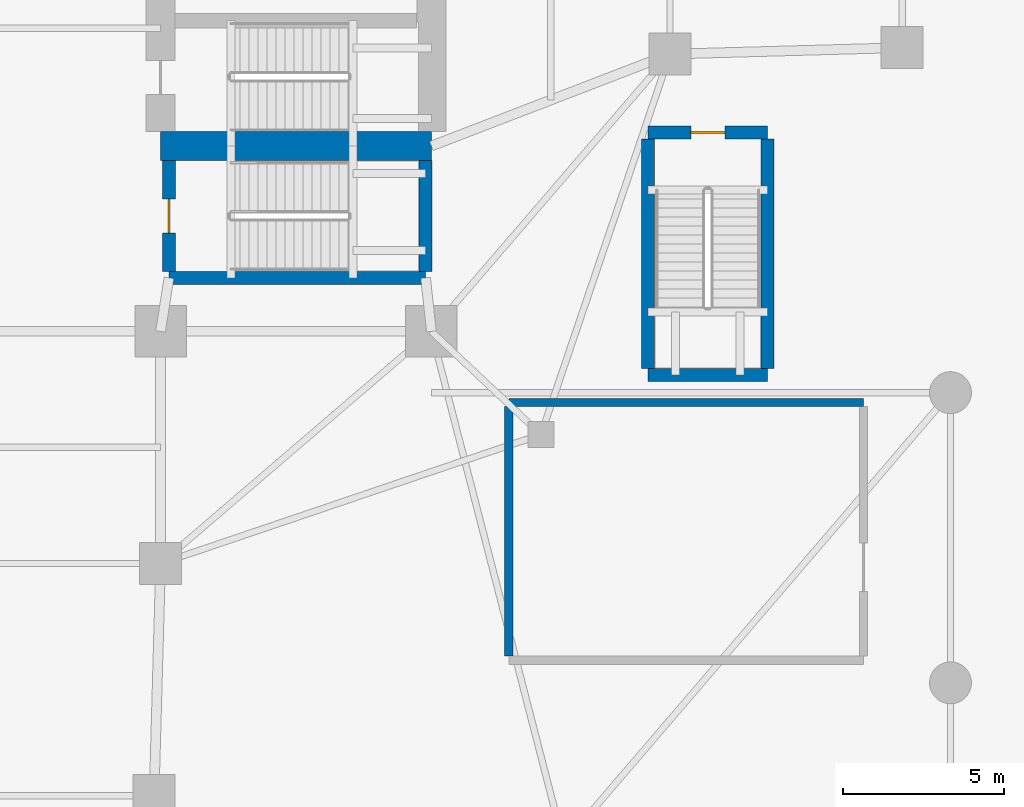
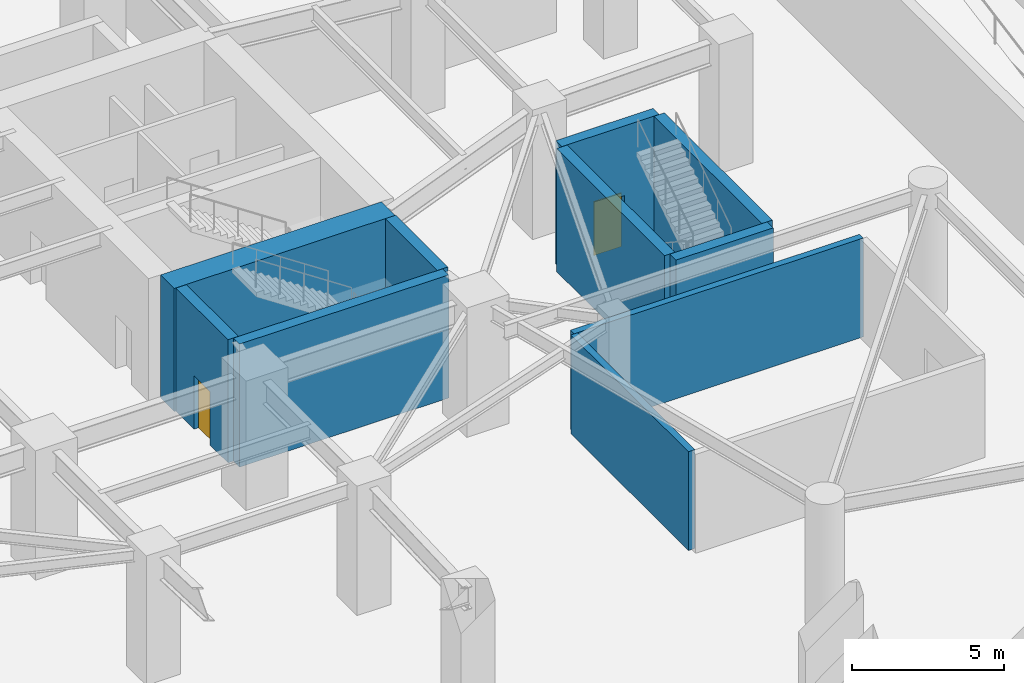
# One storey, part 4 of 12: 10 walls, 2 doors, 2 openings.
"""IFC4 building model written with IfcOpenShell, lengths in metres."""

from ifc_helpers import new_model, si_unit, direction, frame, frame_2d, origin, place, context, subcontext, project, spatial, rectangle, extrude, material, layer, layer_set, type_object, element, fill, save


model = new_model("IFC4")

# Units and contexts
model_context = context("Model", 3, precision=1e-05, world=origin(), true_north=direction((0.0, 1.0)))
body_context = subcontext(model_context, "Body", "Model", "MODEL_VIEW")
ifc_project = project(units=[si_unit("LENGTHUNIT", "METRE"), si_unit("AREAUNIT", "SQUARE_METRE"), si_unit("VOLUMEUNIT", "CUBIC_METRE"), si_unit("PLANEANGLEUNIT", "RADIAN"), si_unit("MASSUNIT", "GRAM", prefix="KILO")], contexts=[model_context])

# Site, building, storey
site_placement = place(None, origin())
site = spatial("IfcSite", under=ifc_project, at=site_placement, CompositionType="ELEMENT")
building_placement = place(site_placement, origin())
building = spatial("IfcBuilding", under=site, at=building_placement, Name="Qingluan Cross Belvedere", CompositionType="ELEMENT")
storey_placement = place(building_placement, frame((0.0, 0.0, -5.199951171875)))
storey = spatial("IfcBuildingStorey", under=building, at=storey_placement, Name="B1", CompositionType="ELEMENT", Elevation=-5.199951171875)

# Wall
ifc_material_1 = material(Name="Concrete C50", Category="concrete")
ifc_layer_1 = layer(ifc_material_1, 0.449951171875, Name="CoreShearWall_450")
ifc_layer_set_1 = layer_set([ifc_layer_1], Name="Concrete C50")
wall_type_1 = type_object("IfcWallType", Name="CoreShearWall_450", PredefinedType="SHEAR", material=ifc_layer_set_1)
wall_1_placement = place(storey_placement, frame((4.260009765625, -10.93994140625, 0.0), z_axis=(0.0, 0.0, 1.0), x_axis=(1.0, 0.0, 0.0)))
element("IfcWall", 1, at=wall_1_placement, inside=storey, type_object=wall_type_1, Name="Stair ST4 structural wall S B1", PredefinedType="SHEAR", context=body_context, shape_type="SweptSolid", body=[
    extrude(rectangle(XDim=7.9599609375, YDim=0.39990234375, at=frame_2d((3.97998046875, 0.0))), origin(), (0.0, 0.0, 1.0), 4.949951171875),
])

# Wall, opening, door
wall_2_placement = place(storey_placement, frame((4.260009765625, -10.735107421875, 0.0), z_axis=(0.0, 0.0, 1.0), x_axis=(0.0, 1.0, 0.0)))
wall_2 = element("IfcWall", 2, at=wall_2_placement, inside=storey, type_object=wall_type_1, Name="Stair ST4 structural wall W B1", PredefinedType="SHEAR", context=body_context, shape_type="SweptSolid", body=[
    extrude(rectangle(XDim=3.43017578125, YDim=0.39990234375, at=frame_2d((1.715087890625, 0.0))), origin(), (0.0, 0.0, 1.0), 4.949951171875),
])
opening_1_placement = place(wall_2_placement, frame((1.18505859375, 0.0, 0.0)))
opening_1 = element("IfcOpeningElement", 3, at=opening_1_placement, cuts=wall_2, Name="Opening FD-B11", PredefinedType="OPENING", context=body_context, shape_type="SweptSolid", body=[
    extrude(rectangle(XDim=1.050048828125, YDim=2.14990234375, at=frame_2d((0.52490234375, 1.074951171875))), frame((0.0, 0.2099609375, 0.0), z_axis=(0.0, -1.0, 0.0), x_axis=(1.0, 0.0, 0.0)), (0.0, 0.0, 1.0), 0.419921875),
])
ifc_material_2 = material(Name="Steel Class B smoke-seal fire door", Category="steel")
door_type = type_object("IfcDoorType", Name="StairLobbyFireDoor_FDB", OperationType="NOTDEFINED", PredefinedType="DOOR", material=ifc_material_2)
door_1_placement = place(opening_1_placement, origin())
door_1 = element("IfcDoor", 4, at=door_1_placement, inside=storey, type_object=door_type, Name="Smoke-proof stair ST4 fire door B1", OperationType="SINGLE_SWING_LEFT", OverallHeight=2.14990234375, OverallWidth=1.050048828125, PredefinedType="DOOR", context=body_context, shape_type="SweptSolid", body=[
    extrude(rectangle(XDim=1.050048828125, YDim=2.14990234375, at=frame_2d((0.52490234375, 1.074951171875))), frame((0.0, 0.02490234375, 0.0), z_axis=(0.0, -1.0, 0.0), x_axis=(1.0, 0.0, 0.0)), (0.0, 0.0, 1.0), 0.050048828125),
])
fill(opening_1, door_1)

# Wall
wall_3_placement = place(storey_placement, frame((12.219970703125, -10.735107421875, 0.0), z_axis=(0.0, 0.0, 1.0), x_axis=(0.0, 1.0, 0.0)))
element("IfcWall", 5, at=wall_3_placement, inside=storey, type_object=wall_type_1, Name="Stair ST4 structural wall E B1", PredefinedType="SHEAR", context=body_context, shape_type="SweptSolid", body=[
    extrude(rectangle(XDim=3.43017578125, YDim=0.39990234375, at=frame_2d((1.715087890625, 0.0))), origin(), (0.0, 0.0, 1.0), 4.949951171875),
])

# Wall, opening, door
wall_4_placement = place(storey_placement, frame((19.1201171875, -6.429931640625, 0.0), z_axis=(0.0, 0.0, 1.0), x_axis=(1.0, 0.0, 0.0)))
wall_4 = element("IfcWall", 6, at=wall_4_placement, inside=storey, type_object=wall_type_1, Name="Stair ST6 structural wall N B1", PredefinedType="SHEAR", context=body_context, shape_type="SweptSolid", body=[
    extrude(rectangle(XDim=3.699951171875, YDim=0.39990234375, at=frame_2d((1.85009765625, 0.0))), origin(), (0.0, 0.0, 1.0), 4.949951171875),
])
opening_2_placement = place(wall_4_placement, frame((1.330078125, 0.0, 0.0)))
opening_2 = element("IfcOpeningElement", 7, at=opening_2_placement, cuts=wall_4, Name="Opening FD-B11", PredefinedType="OPENING", context=body_context, shape_type="SweptSolid", body=[
    extrude(rectangle(XDim=1.050048828125, YDim=2.14990234375, at=frame_2d((0.52490234375, 1.074951171875))), frame((0.0, 0.2099609375, 0.0), z_axis=(0.0, -1.0, 0.0), x_axis=(1.0, 0.0, 0.0)), (0.0, 0.0, 1.0), 0.419921875),
])
door_2_placement = place(opening_2_placement, origin())
door_2 = element("IfcDoor", 8, at=door_2_placement, inside=storey, type_object=door_type, Name="Podium stair ST6 smoke-proof fire door B1", OperationType="SINGLE_SWING_LEFT", OverallHeight=2.14990234375, OverallWidth=1.050048828125, PredefinedType="DOOR", context=body_context, shape_type="SweptSolid", body=[
    extrude(rectangle(XDim=1.050048828125, YDim=2.14990234375, at=frame_2d((0.52490234375, 1.074951171875))), frame((0.0, 0.02490234375, 0.0), z_axis=(0.0, -1.0, 0.0), x_axis=(1.0, 0.0, 0.0)), (0.0, 0.0, 1.0), 0.050048828125),
])
fill(opening_2, door_2)

# Walls
wall_5_placement = place(storey_placement, frame((19.1201171875, -13.949951171875, 0.0), z_axis=(0.0, 0.0, 1.0), x_axis=(1.0, 0.0, 0.0)))
element("IfcWall", 9, at=wall_5_placement, inside=storey, type_object=wall_type_1, Name="Stair ST6 structural wall S B1", PredefinedType="SHEAR", context=body_context, shape_type="SweptSolid", body=[
    extrude(rectangle(XDim=3.699951171875, YDim=0.39990234375, at=frame_2d((1.85009765625, 0.0))), origin(), (0.0, 0.0, 1.0), 4.949951171875),
])
for number, where, z_axis, x_axis, name in (
    (10, (19.1201171875, -13.7451171875, 0.0), (0.0, 0.0, 1.0), (0.0, 1.0, 0.0), "Stair ST6 structural wall W B1"),
    (11, (22.820068359375, -13.7451171875, 0.0), (0.0, 0.0, 1.0), (0.0, 1.0, 0.0), "Stair ST6 structural wall E B1"),
):
    element("IfcWall", number, at=place(storey_placement, frame(where, z_axis=z_axis, x_axis=x_axis)), inside=storey, type_object=wall_type_1, Name=name, PredefinedType="SHEAR", context=body_context, shape_type="SweptSolid", body=[
        extrude(rectangle(XDim=7.110107421875, YDim=0.39990234375, at=frame_2d((3.55517578125, 0.0))), origin(), (0.0, 0.0, 1.0), 4.949951171875),
    ])
ifc_material_3 = material(Name="Concrete C70", Category="concrete")
ifc_layer_2 = layer(ifc_material_3, 0.89990234375, Name="CoreShearWall_900")
ifc_layer_set_2 = layer_set([ifc_layer_2], Name="Concrete C70")
wall_type_2 = type_object("IfcWallType", Name="CoreShearWall_900", PredefinedType="SHEAR", material=ifc_layer_set_2)
wall_6_placement = place(storey_placement, frame((4.0, -6.85009765625, 0.0), z_axis=(0.0, 0.0, 1.0), x_axis=(1.0, 0.0, 0.0)))
element("IfcWall", 12, at=wall_6_placement, inside=storey, type_object=wall_type_2, Name="Split core E shear wall B1-S", PredefinedType="SHEAR", context=body_context, shape_type="SweptSolid", body=[
    extrude(rectangle(XDim=8.39990234375, YDim=0.89990234375, at=frame_2d((4.199951171875, 0.0))), origin(), (0.0, 0.0, 1.0), 4.949951171875),
])
ifc_material_4 = material(Name="Concrete C40", Category="concrete")
ifc_layer_3 = layer(ifc_material_4, 0.300048828125, Name="FireCompartmentWall_300")
ifc_layer_set_3 = layer_set([ifc_layer_3], Name="Concrete C40")
wall_type_3 = type_object("IfcWallType", Name="FireCompartmentWall_300", PredefinedType="SOLIDWALL", material=ifc_layer_set_3)
wall_7_placement = place(storey_placement, frame((14.800048828125, -14.800048828125, 0.0), z_axis=(0.0, 0.0, 1.0), x_axis=(1.0, 0.0, 0.0)))
element("IfcWall", 13, at=wall_7_placement, inside=storey, type_object=wall_type_3, Name="Partition B1:laundry_boh:N", PredefinedType="SOLIDWALL", context=body_context, shape_type="SweptSolid", body=[
    extrude(rectangle(XDim=11.0, YDim=0.25, at=frame_2d((5.5, 0.0))), origin(), (0.0, 0.0, 1.0), 3.969970703125),
])
wall_8_placement = place(storey_placement, frame((14.800048828125, -22.669921875, 0.0), z_axis=(0.0, 0.0, 1.0), x_axis=(0.0, 1.0, 0.0)))
element("IfcWall", 14, at=wall_8_placement, inside=storey, type_object=wall_type_3, Name="Partition B1:laundry_boh:W", PredefinedType="SOLIDWALL", context=body_context, shape_type="SweptSolid", body=[
    extrude(rectangle(XDim=7.739990234375, YDim=0.25, at=frame_2d((3.8701171875, 0.0))), origin(), (0.0, 0.0, 1.0), 3.969970703125),
])

save(model, "model.ifc")
